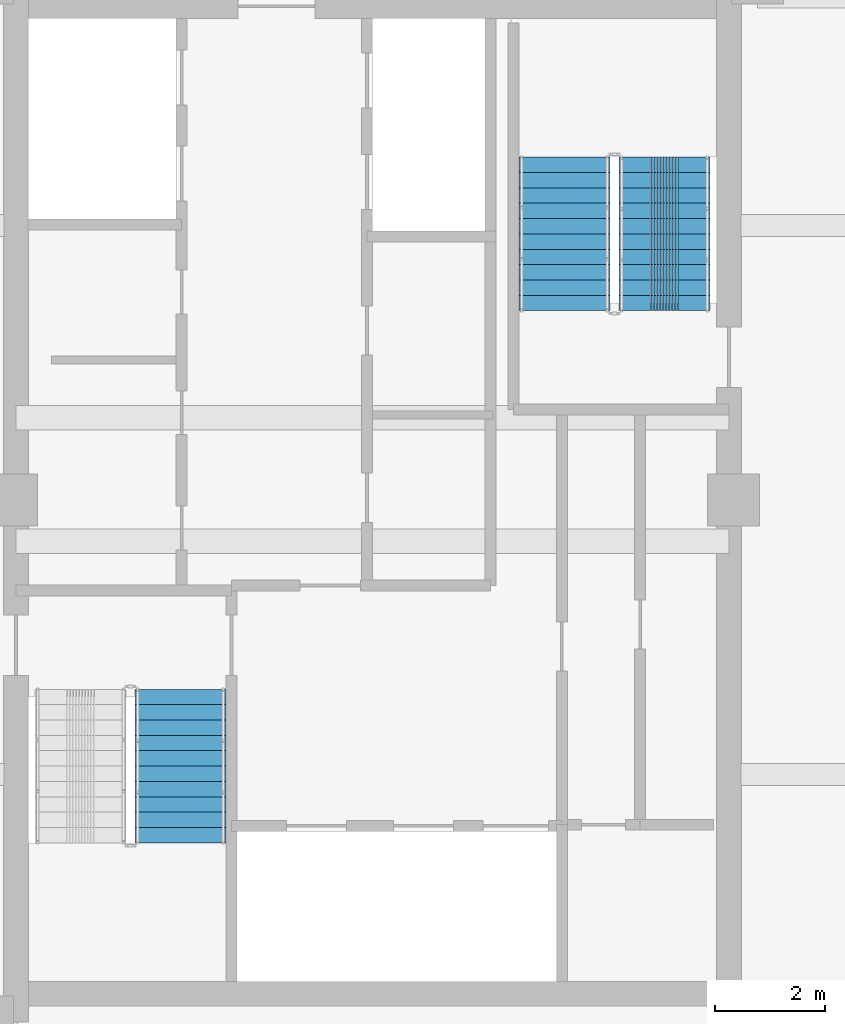
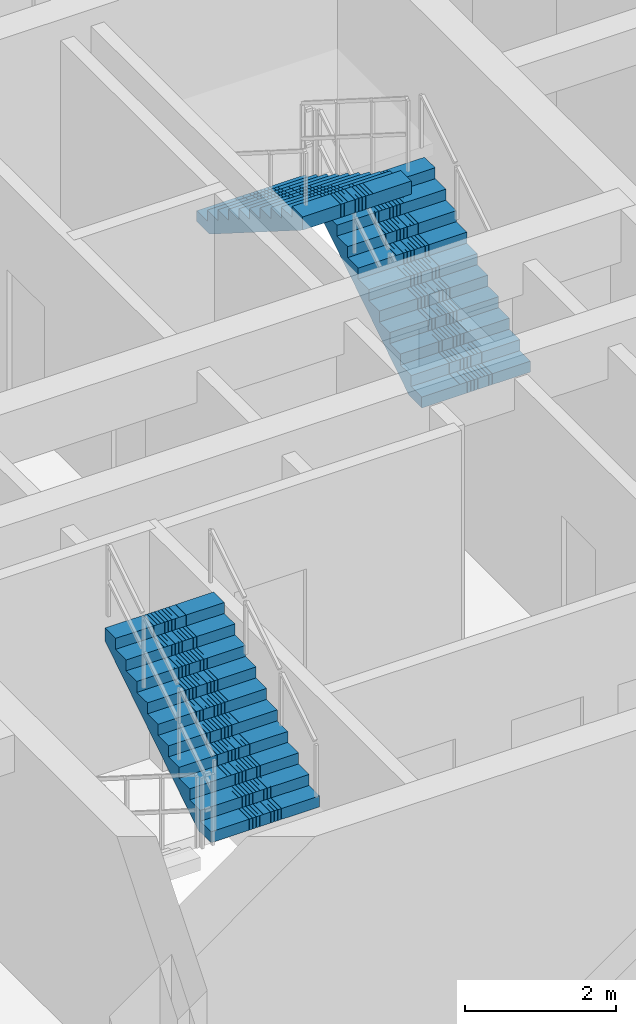
# One storey, part 17 of 22: 3 stair flights, 2 elements without a shape of their own.
"""IFC4 building model written with IfcOpenShell, lengths in metres."""

from ifc_helpers import new_model, si_unit, direction, frame, origin, place, context, subcontext, project, spatial, polyline, outline, extrude, material, type_object, element, aggregate, save


model = new_model("IFC4")

# Units and contexts
model_context = context("Model", 3, precision=1e-05, world=origin(), true_north=direction((0.0, 1.0)))
body_context = subcontext(model_context, "Body", "Model", "MODEL_VIEW")
ifc_project = project(units=[si_unit("LENGTHUNIT", "METRE"), si_unit("AREAUNIT", "SQUARE_METRE"), si_unit("VOLUMEUNIT", "CUBIC_METRE"), si_unit("PLANEANGLEUNIT", "RADIAN"), si_unit("MASSUNIT", "GRAM", prefix="KILO")], contexts=[model_context])

# Site, building, storey
site_placement = place(None, origin())
site = spatial("IfcSite", under=ifc_project, at=site_placement, CompositionType="ELEMENT")
building_placement = place(site_placement, origin())
building = spatial("IfcBuilding", under=site, at=building_placement, Name="Saelheon Loggia Tower", CompositionType="ELEMENT")
storey_placement = place(building_placement, frame((0.0, 0.0, 216.300048828125)))
storey = spatial("IfcBuildingStorey", under=building, at=storey_placement, Name="L67", CompositionType="ELEMENT", Elevation=216.300048828125)

# Stair, stair flight
ifc_material = material(Name="Concrete C40/50", Category="concrete")
stair_type = type_object("IfcStairType", Name="Stair_Escape_Core", PredefinedType="HALF_TURN_STAIR", material=ifc_material)
stair_1_placement = place(storey_placement, origin())
stair_1 = element("IfcStair", 1, at=stair_1_placement, inside=storey, type_object=stair_type, Name="L67 Special Escape Stair ST1", PredefinedType="HALF_TURN_STAIR")
stair_flight_type = type_object("IfcStairFlightType", Name="StairFlight_Tower_1660", PredefinedType="STRAIGHT", material=ifc_material)
stair_flight_1_placement = place(storey_placement, frame((34.5, 20.75, 1.949951171875), z_axis=(0.0, 0.0, 1.0), x_axis=(0.0, 1.0, 0.0)))
stair_flight_1 = element("IfcStairFlight", 2, at=stair_flight_1_placement, type_object=stair_flight_type, Name="ST1 flight 2", NumberOfRisers=11, NumberOfTreads=10, PredefinedType="STRAIGHT", RiserHeight=0.177272727, TreadLength=0.28, context=body_context, shape_type="SweptSolid", body=[
    extrude(outline(polyline([(0.0, 0.0), (0.0, 0.17724609375), (0.280029296875, 0.17724609375), (0.280029296875, 0.3544921875), (0.56005859375, 0.3544921875), (0.56005859375, 0.53173828125), (0.840087890625, 0.53173828125), (0.840087890625, 0.708984375), (1.1201171875, 0.708984375), (1.1201171875, 0.886474609375), (1.39990234375, 0.886474609375), (1.39990234375, 1.063720703125), (1.679931640625, 1.063720703125), (1.679931640625, 1.240966796875), (1.9599609375, 1.240966796875), (1.9599609375, 1.418212890625), (2.239990234375, 1.418212890625), (2.239990234375, 1.595458984375), (2.52001953125, 1.595458984375), (2.52001953125, 1.772705078125), (2.800048828125, 1.772705078125), (2.800048828125, 1.949951171875), (2.800048828125, 1.559814453125), (0.33642578125, 0.0), (0.0, 0.0)])), frame((0.0, -0.2490234375, 0.0), z_axis=(0.0, -1.0, 0.0), x_axis=(1.0, 0.0, 0.0)), (0.0, 0.0, 1.0), 0.5810546875),
    extrude(outline(polyline([(0.0, 0.0), (0.0, 0.17724609375), (0.280029296875, 0.17724609375), (0.280029296875, 0.3544921875), (0.56005859375, 0.3544921875), (0.56005859375, 0.53173828125), (0.840087890625, 0.53173828125), (0.840087890625, 0.708984375), (1.1201171875, 0.708984375), (1.1201171875, 0.886474609375), (1.39990234375, 0.886474609375), (1.39990234375, 1.063720703125), (1.679931640625, 1.063720703125), (1.679931640625, 1.240966796875), (1.9599609375, 1.240966796875), (1.9599609375, 1.418212890625), (2.239990234375, 1.418212890625), (2.239990234375, 1.595458984375), (2.52001953125, 1.595458984375), (2.52001953125, 1.772705078125), (2.800048828125, 1.772705078125), (2.800048828125, 1.949951171875), (2.800048828125, 1.559814453125), (0.33642578125, 0.0), (0.0, 0.0)])), frame((0.0, -0.194091796875, 0.0), z_axis=(0.0, -1.0, 0.0), x_axis=(1.0, 0.0, 0.0)), (0.0, 0.0, 1.0), 0.0498046875),
    extrude(outline(polyline([(0.0, 0.0), (0.0, 0.17724609375), (0.280029296875, 0.17724609375), (0.280029296875, 0.3544921875), (0.56005859375, 0.3544921875), (0.56005859375, 0.53173828125), (0.840087890625, 0.53173828125), (0.840087890625, 0.708984375), (1.1201171875, 0.708984375), (1.1201171875, 0.886474609375), (1.39990234375, 0.886474609375), (1.39990234375, 1.063720703125), (1.679931640625, 1.063720703125), (1.679931640625, 1.240966796875), (1.9599609375, 1.240966796875), (1.9599609375, 1.418212890625), (2.239990234375, 1.418212890625), (2.239990234375, 1.595458984375), (2.52001953125, 1.595458984375), (2.52001953125, 1.772705078125), (2.800048828125, 1.772705078125), (2.800048828125, 1.949951171875), (2.800048828125, 1.559814453125), (0.33642578125, 0.0), (0.0, 0.0)])), frame((0.0, -0.139404296875, 0.0), z_axis=(0.0, -1.0, 0.0), x_axis=(1.0, 0.0, 0.0)), (0.0, 0.0, 1.0), 0.0498046875),
    extrude(outline(polyline([(0.0, 0.0), (0.0, 0.17724609375), (0.280029296875, 0.17724609375), (0.280029296875, 0.3544921875), (0.56005859375, 0.3544921875), (0.56005859375, 0.53173828125), (0.840087890625, 0.53173828125), (0.840087890625, 0.708984375), (1.1201171875, 0.708984375), (1.1201171875, 0.886474609375), (1.39990234375, 0.886474609375), (1.39990234375, 1.063720703125), (1.679931640625, 1.063720703125), (1.679931640625, 1.240966796875), (1.9599609375, 1.240966796875), (1.9599609375, 1.418212890625), (2.239990234375, 1.418212890625), (2.239990234375, 1.595458984375), (2.52001953125, 1.595458984375), (2.52001953125, 1.772705078125), (2.800048828125, 1.772705078125), (2.800048828125, 1.949951171875), (2.800048828125, 1.559814453125), (0.33642578125, 0.0), (0.0, 0.0)])), frame((0.0, -0.084716796875, 0.0), z_axis=(0.0, -1.0, 0.0), x_axis=(1.0, 0.0, 0.0)), (0.0, 0.0, 1.0), 0.0498046875),
    extrude(outline(polyline([(0.0, 0.0), (0.0, 0.17724609375), (0.280029296875, 0.17724609375), (0.280029296875, 0.3544921875), (0.56005859375, 0.3544921875), (0.56005859375, 0.53173828125), (0.840087890625, 0.53173828125), (0.840087890625, 0.708984375), (1.1201171875, 0.708984375), (1.1201171875, 0.886474609375), (1.39990234375, 0.886474609375), (1.39990234375, 1.063720703125), (1.679931640625, 1.063720703125), (1.679931640625, 1.240966796875), (1.9599609375, 1.240966796875), (1.9599609375, 1.418212890625), (2.239990234375, 1.418212890625), (2.239990234375, 1.595458984375), (2.52001953125, 1.595458984375), (2.52001953125, 1.772705078125), (2.800048828125, 1.772705078125), (2.800048828125, 1.949951171875), (2.800048828125, 1.559814453125), (0.33642578125, 0.0), (0.0, 0.0)])), frame((0.0, -0.02978515625, 0.0), z_axis=(0.0, -1.0, 0.0), x_axis=(1.0, 0.0, 0.0)), (0.0, 0.0, 1.0), 0.0498046875),
    extrude(outline(polyline([(0.0, 0.0), (0.0, 0.17724609375), (0.280029296875, 0.17724609375), (0.280029296875, 0.3544921875), (0.56005859375, 0.3544921875), (0.56005859375, 0.53173828125), (0.840087890625, 0.53173828125), (0.840087890625, 0.708984375), (1.1201171875, 0.708984375), (1.1201171875, 0.886474609375), (1.39990234375, 0.886474609375), (1.39990234375, 1.063720703125), (1.679931640625, 1.063720703125), (1.679931640625, 1.240966796875), (1.9599609375, 1.240966796875), (1.9599609375, 1.418212890625), (2.239990234375, 1.418212890625), (2.239990234375, 1.595458984375), (2.52001953125, 1.595458984375), (2.52001953125, 1.772705078125), (2.800048828125, 1.772705078125), (2.800048828125, 1.949951171875), (2.800048828125, 1.559814453125), (0.33642578125, 0.0), (0.0, 0.0)])), frame((0.0, 0.02490234375, 0.0), z_axis=(0.0, -1.0, 0.0), x_axis=(1.0, 0.0, 0.0)), (0.0, 0.0, 1.0), 0.0498046875),
    extrude(outline(polyline([(0.0, 0.0), (0.0, 0.17724609375), (0.280029296875, 0.17724609375), (0.280029296875, 0.3544921875), (0.56005859375, 0.3544921875), (0.56005859375, 0.53173828125), (0.840087890625, 0.53173828125), (0.840087890625, 0.708984375), (1.1201171875, 0.708984375), (1.1201171875, 0.886474609375), (1.39990234375, 0.886474609375), (1.39990234375, 1.063720703125), (1.679931640625, 1.063720703125), (1.679931640625, 1.240966796875), (1.9599609375, 1.240966796875), (1.9599609375, 1.418212890625), (2.239990234375, 1.418212890625), (2.239990234375, 1.595458984375), (2.52001953125, 1.595458984375), (2.52001953125, 1.772705078125), (2.800048828125, 1.772705078125), (2.800048828125, 1.949951171875), (2.800048828125, 1.559814453125), (0.33642578125, 0.0), (0.0, 0.0)])), frame((0.0, 0.07958984375, 0.0), z_axis=(0.0, -1.0, 0.0), x_axis=(1.0, 0.0, 0.0)), (0.0, 0.0, 1.0), 0.0498046875),
    extrude(outline(polyline([(0.0, 0.0), (0.0, 0.17724609375), (0.280029296875, 0.17724609375), (0.280029296875, 0.3544921875), (0.56005859375, 0.3544921875), (0.56005859375, 0.53173828125), (0.840087890625, 0.53173828125), (0.840087890625, 0.708984375), (1.1201171875, 0.708984375), (1.1201171875, 0.886474609375), (1.39990234375, 0.886474609375), (1.39990234375, 1.063720703125), (1.679931640625, 1.063720703125), (1.679931640625, 1.240966796875), (1.9599609375, 1.240966796875), (1.9599609375, 1.418212890625), (2.239990234375, 1.418212890625), (2.239990234375, 1.595458984375), (2.52001953125, 1.595458984375), (2.52001953125, 1.772705078125), (2.800048828125, 1.772705078125), (2.800048828125, 1.949951171875), (2.800048828125, 1.559814453125), (0.33642578125, 0.0), (0.0, 0.0)])), frame((0.0, 0.134521484375, 0.0), z_axis=(0.0, -1.0, 0.0), x_axis=(1.0, 0.0, 0.0)), (0.0, 0.0, 1.0), 0.0498046875),
    extrude(outline(polyline([(0.0, 0.0), (0.0, 0.17724609375), (0.280029296875, 0.17724609375), (0.280029296875, 0.3544921875), (0.56005859375, 0.3544921875), (0.56005859375, 0.53173828125), (0.840087890625, 0.53173828125), (0.840087890625, 0.708984375), (1.1201171875, 0.708984375), (1.1201171875, 0.886474609375), (1.39990234375, 0.886474609375), (1.39990234375, 1.063720703125), (1.679931640625, 1.063720703125), (1.679931640625, 1.240966796875), (1.9599609375, 1.240966796875), (1.9599609375, 1.418212890625), (2.239990234375, 1.418212890625), (2.239990234375, 1.595458984375), (2.52001953125, 1.595458984375), (2.52001953125, 1.772705078125), (2.800048828125, 1.772705078125), (2.800048828125, 1.949951171875), (2.800048828125, 1.559814453125), (0.33642578125, 0.0), (0.0, 0.0)])), frame((0.0, 0.189208984375, 0.0), z_axis=(0.0, -1.0, 0.0), x_axis=(1.0, 0.0, 0.0)), (0.0, 0.0, 1.0), 0.0498046875),
    extrude(outline(polyline([(0.0, 0.0), (0.0, 0.17724609375), (0.280029296875, 0.17724609375), (0.280029296875, 0.3544921875), (0.56005859375, 0.3544921875), (0.56005859375, 0.53173828125), (0.840087890625, 0.53173828125), (0.840087890625, 0.708984375), (1.1201171875, 0.708984375), (1.1201171875, 0.886474609375), (1.39990234375, 0.886474609375), (1.39990234375, 1.063720703125), (1.679931640625, 1.063720703125), (1.679931640625, 1.240966796875), (1.9599609375, 1.240966796875), (1.9599609375, 1.418212890625), (2.239990234375, 1.418212890625), (2.239990234375, 1.595458984375), (2.52001953125, 1.595458984375), (2.52001953125, 1.772705078125), (2.800048828125, 1.772705078125), (2.800048828125, 1.949951171875), (2.800048828125, 1.559814453125), (0.33642578125, 0.0), (0.0, 0.0)])), frame((0.0, 0.243896484375, 0.0), z_axis=(0.0, -1.0, 0.0), x_axis=(1.0, 0.0, 0.0)), (0.0, 0.0, 1.0), 0.0498046875),
    extrude(outline(polyline([(0.0, 0.0), (0.0, 0.17724609375), (0.280029296875, 0.17724609375), (0.280029296875, 0.3544921875), (0.56005859375, 0.3544921875), (0.56005859375, 0.53173828125), (0.840087890625, 0.53173828125), (0.840087890625, 0.708984375), (1.1201171875, 0.708984375), (1.1201171875, 0.886474609375), (1.39990234375, 0.886474609375), (1.39990234375, 1.063720703125), (1.679931640625, 1.063720703125), (1.679931640625, 1.240966796875), (1.9599609375, 1.240966796875), (1.9599609375, 1.418212890625), (2.239990234375, 1.418212890625), (2.239990234375, 1.595458984375), (2.52001953125, 1.595458984375), (2.52001953125, 1.772705078125), (2.800048828125, 1.772705078125), (2.800048828125, 1.949951171875), (2.800048828125, 1.559814453125), (0.33642578125, 0.0), (0.0, 0.0)])), frame((0.0, 0.830078125, 0.0), z_axis=(0.0, -1.0, 0.0), x_axis=(1.0, 0.0, 0.0)), (0.0, 0.0, 1.0), 0.5810546875),
])
aggregate(stair_1, [stair_flight_1])

# Stair, stair flights
stair_2_placement = place(storey_placement, origin())
stair_2 = element("IfcStair", 3, at=stair_2_placement, inside=storey, type_object=stair_type, Name="L67 Special Escape Stair ST2", PredefinedType="HALF_TURN_STAIR")
stair_flight_2_placement = place(storey_placement, frame((43.320068359375, 30.449951171875, 0.0), z_axis=(0.0, 0.0, 1.0), x_axis=(0.0, 1.0, 0.0)))
stair_flight_2 = element("IfcStairFlight", 4, at=stair_flight_2_placement, type_object=stair_flight_type, Name="ST2 flight 1", NumberOfRisers=11, NumberOfTreads=10, PredefinedType="STRAIGHT", RiserHeight=0.177272727, TreadLength=0.28, context=body_context, shape_type="SweptSolid", body=[
    extrude(outline(polyline([(0.0, 0.0), (0.0, 0.17724609375), (0.280029296875, 0.17724609375), (0.280029296875, 0.3544921875), (0.56005859375, 0.3544921875), (0.56005859375, 0.53173828125), (0.840087890625, 0.53173828125), (0.840087890625, 0.708984375), (1.1201171875, 0.708984375), (1.1201171875, 0.886474609375), (1.39990234375, 0.886474609375), (1.39990234375, 1.063720703125), (1.679931640625, 1.063720703125), (1.679931640625, 1.240966796875), (1.9599609375, 1.240966796875), (1.9599609375, 1.418212890625), (2.239990234375, 1.418212890625), (2.239990234375, 1.595458984375), (2.52001953125, 1.595458984375), (2.52001953125, 1.772705078125), (2.800048828125, 1.772705078125), (2.800048828125, 1.949951171875), (2.800048828125, 1.559814453125), (0.33642578125, 0.0), (0.0, 0.0)])), frame((0.0, -0.2490234375, 0.0), z_axis=(0.0, -1.0, 0.0), x_axis=(1.0, 0.0, 0.0)), (0.0, 0.0, 1.0), 0.5810546875),
    extrude(outline(polyline([(0.0, 0.0), (0.0, 0.17724609375), (0.280029296875, 0.17724609375), (0.280029296875, 0.3544921875), (0.56005859375, 0.3544921875), (0.56005859375, 0.53173828125), (0.840087890625, 0.53173828125), (0.840087890625, 0.708984375), (1.1201171875, 0.708984375), (1.1201171875, 0.886474609375), (1.39990234375, 0.886474609375), (1.39990234375, 1.063720703125), (1.679931640625, 1.063720703125), (1.679931640625, 1.240966796875), (1.9599609375, 1.240966796875), (1.9599609375, 1.418212890625), (2.239990234375, 1.418212890625), (2.239990234375, 1.595458984375), (2.52001953125, 1.595458984375), (2.52001953125, 1.772705078125), (2.800048828125, 1.772705078125), (2.800048828125, 1.949951171875), (2.800048828125, 1.559814453125), (0.33642578125, 0.0), (0.0, 0.0)])), frame((0.0, -0.194091796875, 0.0), z_axis=(0.0, -1.0, 0.0), x_axis=(1.0, 0.0, 0.0)), (0.0, 0.0, 1.0), 0.0498046875),
    extrude(outline(polyline([(0.0, 0.0), (0.0, 0.17724609375), (0.280029296875, 0.17724609375), (0.280029296875, 0.3544921875), (0.56005859375, 0.3544921875), (0.56005859375, 0.53173828125), (0.840087890625, 0.53173828125), (0.840087890625, 0.708984375), (1.1201171875, 0.708984375), (1.1201171875, 0.886474609375), (1.39990234375, 0.886474609375), (1.39990234375, 1.063720703125), (1.679931640625, 1.063720703125), (1.679931640625, 1.240966796875), (1.9599609375, 1.240966796875), (1.9599609375, 1.418212890625), (2.239990234375, 1.418212890625), (2.239990234375, 1.595458984375), (2.52001953125, 1.595458984375), (2.52001953125, 1.772705078125), (2.800048828125, 1.772705078125), (2.800048828125, 1.949951171875), (2.800048828125, 1.559814453125), (0.33642578125, 0.0), (0.0, 0.0)])), frame((0.0, -0.139404296875, 0.0), z_axis=(0.0, -1.0, 0.0), x_axis=(1.0, 0.0, 0.0)), (0.0, 0.0, 1.0), 0.0498046875),
    extrude(outline(polyline([(0.0, 0.0), (0.0, 0.17724609375), (0.280029296875, 0.17724609375), (0.280029296875, 0.3544921875), (0.56005859375, 0.3544921875), (0.56005859375, 0.53173828125), (0.840087890625, 0.53173828125), (0.840087890625, 0.708984375), (1.1201171875, 0.708984375), (1.1201171875, 0.886474609375), (1.39990234375, 0.886474609375), (1.39990234375, 1.063720703125), (1.679931640625, 1.063720703125), (1.679931640625, 1.240966796875), (1.9599609375, 1.240966796875), (1.9599609375, 1.418212890625), (2.239990234375, 1.418212890625), (2.239990234375, 1.595458984375), (2.52001953125, 1.595458984375), (2.52001953125, 1.772705078125), (2.800048828125, 1.772705078125), (2.800048828125, 1.949951171875), (2.800048828125, 1.559814453125), (0.33642578125, 0.0), (0.0, 0.0)])), frame((0.0, -0.084716796875, 0.0), z_axis=(0.0, -1.0, 0.0), x_axis=(1.0, 0.0, 0.0)), (0.0, 0.0, 1.0), 0.0498046875),
    extrude(outline(polyline([(0.0, 0.0), (0.0, 0.17724609375), (0.280029296875, 0.17724609375), (0.280029296875, 0.3544921875), (0.56005859375, 0.3544921875), (0.56005859375, 0.53173828125), (0.840087890625, 0.53173828125), (0.840087890625, 0.708984375), (1.1201171875, 0.708984375), (1.1201171875, 0.886474609375), (1.39990234375, 0.886474609375), (1.39990234375, 1.063720703125), (1.679931640625, 1.063720703125), (1.679931640625, 1.240966796875), (1.9599609375, 1.240966796875), (1.9599609375, 1.418212890625), (2.239990234375, 1.418212890625), (2.239990234375, 1.595458984375), (2.52001953125, 1.595458984375), (2.52001953125, 1.772705078125), (2.800048828125, 1.772705078125), (2.800048828125, 1.949951171875), (2.800048828125, 1.559814453125), (0.33642578125, 0.0), (0.0, 0.0)])), frame((0.0, -0.02978515625, 0.0), z_axis=(0.0, -1.0, 0.0), x_axis=(1.0, 0.0, 0.0)), (0.0, 0.0, 1.0), 0.0498046875),
    extrude(outline(polyline([(0.0, 0.0), (0.0, 0.17724609375), (0.280029296875, 0.17724609375), (0.280029296875, 0.3544921875), (0.56005859375, 0.3544921875), (0.56005859375, 0.53173828125), (0.840087890625, 0.53173828125), (0.840087890625, 0.708984375), (1.1201171875, 0.708984375), (1.1201171875, 0.886474609375), (1.39990234375, 0.886474609375), (1.39990234375, 1.063720703125), (1.679931640625, 1.063720703125), (1.679931640625, 1.240966796875), (1.9599609375, 1.240966796875), (1.9599609375, 1.418212890625), (2.239990234375, 1.418212890625), (2.239990234375, 1.595458984375), (2.52001953125, 1.595458984375), (2.52001953125, 1.772705078125), (2.800048828125, 1.772705078125), (2.800048828125, 1.949951171875), (2.800048828125, 1.559814453125), (0.33642578125, 0.0), (0.0, 0.0)])), frame((0.0, 0.02490234375, 0.0), z_axis=(0.0, -1.0, 0.0), x_axis=(1.0, 0.0, 0.0)), (0.0, 0.0, 1.0), 0.0498046875),
    extrude(outline(polyline([(0.0, 0.0), (0.0, 0.17724609375), (0.280029296875, 0.17724609375), (0.280029296875, 0.3544921875), (0.56005859375, 0.3544921875), (0.56005859375, 0.53173828125), (0.840087890625, 0.53173828125), (0.840087890625, 0.708984375), (1.1201171875, 0.708984375), (1.1201171875, 0.886474609375), (1.39990234375, 0.886474609375), (1.39990234375, 1.063720703125), (1.679931640625, 1.063720703125), (1.679931640625, 1.240966796875), (1.9599609375, 1.240966796875), (1.9599609375, 1.418212890625), (2.239990234375, 1.418212890625), (2.239990234375, 1.595458984375), (2.52001953125, 1.595458984375), (2.52001953125, 1.772705078125), (2.800048828125, 1.772705078125), (2.800048828125, 1.949951171875), (2.800048828125, 1.559814453125), (0.33642578125, 0.0), (0.0, 0.0)])), frame((0.0, 0.07958984375, 0.0), z_axis=(0.0, -1.0, 0.0), x_axis=(1.0, 0.0, 0.0)), (0.0, 0.0, 1.0), 0.0498046875),
    extrude(outline(polyline([(0.0, 0.0), (0.0, 0.17724609375), (0.280029296875, 0.17724609375), (0.280029296875, 0.3544921875), (0.56005859375, 0.3544921875), (0.56005859375, 0.53173828125), (0.840087890625, 0.53173828125), (0.840087890625, 0.708984375), (1.1201171875, 0.708984375), (1.1201171875, 0.886474609375), (1.39990234375, 0.886474609375), (1.39990234375, 1.063720703125), (1.679931640625, 1.063720703125), (1.679931640625, 1.240966796875), (1.9599609375, 1.240966796875), (1.9599609375, 1.418212890625), (2.239990234375, 1.418212890625), (2.239990234375, 1.595458984375), (2.52001953125, 1.595458984375), (2.52001953125, 1.772705078125), (2.800048828125, 1.772705078125), (2.800048828125, 1.949951171875), (2.800048828125, 1.559814453125), (0.33642578125, 0.0), (0.0, 0.0)])), frame((0.0, 0.134521484375, 0.0), z_axis=(0.0, -1.0, 0.0), x_axis=(1.0, 0.0, 0.0)), (0.0, 0.0, 1.0), 0.0498046875),
    extrude(outline(polyline([(0.0, 0.0), (0.0, 0.17724609375), (0.280029296875, 0.17724609375), (0.280029296875, 0.3544921875), (0.56005859375, 0.3544921875), (0.56005859375, 0.53173828125), (0.840087890625, 0.53173828125), (0.840087890625, 0.708984375), (1.1201171875, 0.708984375), (1.1201171875, 0.886474609375), (1.39990234375, 0.886474609375), (1.39990234375, 1.063720703125), (1.679931640625, 1.063720703125), (1.679931640625, 1.240966796875), (1.9599609375, 1.240966796875), (1.9599609375, 1.418212890625), (2.239990234375, 1.418212890625), (2.239990234375, 1.595458984375), (2.52001953125, 1.595458984375), (2.52001953125, 1.772705078125), (2.800048828125, 1.772705078125), (2.800048828125, 1.949951171875), (2.800048828125, 1.559814453125), (0.33642578125, 0.0), (0.0, 0.0)])), frame((0.0, 0.189208984375, 0.0), z_axis=(0.0, -1.0, 0.0), x_axis=(1.0, 0.0, 0.0)), (0.0, 0.0, 1.0), 0.0498046875),
    extrude(outline(polyline([(0.0, 0.0), (0.0, 0.17724609375), (0.280029296875, 0.17724609375), (0.280029296875, 0.3544921875), (0.56005859375, 0.3544921875), (0.56005859375, 0.53173828125), (0.840087890625, 0.53173828125), (0.840087890625, 0.708984375), (1.1201171875, 0.708984375), (1.1201171875, 0.886474609375), (1.39990234375, 0.886474609375), (1.39990234375, 1.063720703125), (1.679931640625, 1.063720703125), (1.679931640625, 1.240966796875), (1.9599609375, 1.240966796875), (1.9599609375, 1.418212890625), (2.239990234375, 1.418212890625), (2.239990234375, 1.595458984375), (2.52001953125, 1.595458984375), (2.52001953125, 1.772705078125), (2.800048828125, 1.772705078125), (2.800048828125, 1.949951171875), (2.800048828125, 1.559814453125), (0.33642578125, 0.0), (0.0, 0.0)])), frame((0.0, 0.243896484375, 0.0), z_axis=(0.0, -1.0, 0.0), x_axis=(1.0, 0.0, 0.0)), (0.0, 0.0, 1.0), 0.0498046875),
    extrude(outline(polyline([(0.0, 0.0), (0.0, 0.17724609375), (0.280029296875, 0.17724609375), (0.280029296875, 0.3544921875), (0.56005859375, 0.3544921875), (0.56005859375, 0.53173828125), (0.840087890625, 0.53173828125), (0.840087890625, 0.708984375), (1.1201171875, 0.708984375), (1.1201171875, 0.886474609375), (1.39990234375, 0.886474609375), (1.39990234375, 1.063720703125), (1.679931640625, 1.063720703125), (1.679931640625, 1.240966796875), (1.9599609375, 1.240966796875), (1.9599609375, 1.418212890625), (2.239990234375, 1.418212890625), (2.239990234375, 1.595458984375), (2.52001953125, 1.595458984375), (2.52001953125, 1.772705078125), (2.800048828125, 1.772705078125), (2.800048828125, 1.949951171875), (2.800048828125, 1.559814453125), (0.33642578125, 0.0), (0.0, 0.0)])), frame((0.0, 0.830078125, 0.0), z_axis=(0.0, -1.0, 0.0), x_axis=(1.0, 0.0, 0.0)), (0.0, 0.0, 1.0), 0.5810546875),
])
stair_flight_3_placement = place(storey_placement, frame((41.5, 33.25, 1.949951171875), z_axis=(0.0, 0.0, 1.0), x_axis=(0.0, -1.0, 0.0)))
stair_flight_3 = element("IfcStairFlight", 5, at=stair_flight_3_placement, type_object=stair_flight_type, Name="ST2 flight 2", NumberOfRisers=11, NumberOfTreads=10, PredefinedType="STRAIGHT", RiserHeight=0.177272727, TreadLength=0.28, context=body_context, shape_type="SweptSolid", body=[
    extrude(outline(polyline([(0.0, 0.0), (0.0, 0.17724609375), (0.280029296875, 0.17724609375), (0.280029296875, 0.3544921875), (0.56005859375, 0.3544921875), (0.56005859375, 0.53173828125), (0.840087890625, 0.53173828125), (0.840087890625, 0.708984375), (1.1201171875, 0.708984375), (1.1201171875, 0.886474609375), (1.39990234375, 0.886474609375), (1.39990234375, 1.063720703125), (1.679931640625, 1.063720703125), (1.679931640625, 1.240966796875), (1.9599609375, 1.240966796875), (1.9599609375, 1.418212890625), (2.239990234375, 1.418212890625), (2.239990234375, 1.595458984375), (2.52001953125, 1.595458984375), (2.52001953125, 1.772705078125), (2.800048828125, 1.772705078125), (2.800048828125, 1.949951171875), (2.800048828125, 1.559814453125), (0.33642578125, 0.0), (0.0, 0.0)])), frame((0.0, -0.2490234375, 0.0), z_axis=(0.0, -1.0, 0.0), x_axis=(1.0, 0.0, 0.0)), (0.0, 0.0, 1.0), 0.5810546875),
    extrude(outline(polyline([(0.0, 0.0), (0.0, 0.17724609375), (0.280029296875, 0.17724609375), (0.280029296875, 0.3544921875), (0.56005859375, 0.3544921875), (0.56005859375, 0.53173828125), (0.840087890625, 0.53173828125), (0.840087890625, 0.708984375), (1.1201171875, 0.708984375), (1.1201171875, 0.886474609375), (1.39990234375, 0.886474609375), (1.39990234375, 1.063720703125), (1.679931640625, 1.063720703125), (1.679931640625, 1.240966796875), (1.9599609375, 1.240966796875), (1.9599609375, 1.418212890625), (2.239990234375, 1.418212890625), (2.239990234375, 1.595458984375), (2.52001953125, 1.595458984375), (2.52001953125, 1.772705078125), (2.800048828125, 1.772705078125), (2.800048828125, 1.949951171875), (2.800048828125, 1.559814453125), (0.33642578125, 0.0), (0.0, 0.0)])), frame((0.0, -0.194091796875, 0.0), z_axis=(0.0, -1.0, 0.0), x_axis=(1.0, 0.0, 0.0)), (0.0, 0.0, 1.0), 0.0498046875),
    extrude(outline(polyline([(0.0, 0.0), (0.0, 0.17724609375), (0.280029296875, 0.17724609375), (0.280029296875, 0.3544921875), (0.56005859375, 0.3544921875), (0.56005859375, 0.53173828125), (0.840087890625, 0.53173828125), (0.840087890625, 0.708984375), (1.1201171875, 0.708984375), (1.1201171875, 0.886474609375), (1.39990234375, 0.886474609375), (1.39990234375, 1.063720703125), (1.679931640625, 1.063720703125), (1.679931640625, 1.240966796875), (1.9599609375, 1.240966796875), (1.9599609375, 1.418212890625), (2.239990234375, 1.418212890625), (2.239990234375, 1.595458984375), (2.52001953125, 1.595458984375), (2.52001953125, 1.772705078125), (2.800048828125, 1.772705078125), (2.800048828125, 1.949951171875), (2.800048828125, 1.559814453125), (0.33642578125, 0.0), (0.0, 0.0)])), frame((0.0, -0.139404296875, 0.0), z_axis=(0.0, -1.0, 0.0), x_axis=(1.0, 0.0, 0.0)), (0.0, 0.0, 1.0), 0.0498046875),
    extrude(outline(polyline([(0.0, 0.0), (0.0, 0.17724609375), (0.280029296875, 0.17724609375), (0.280029296875, 0.3544921875), (0.56005859375, 0.3544921875), (0.56005859375, 0.53173828125), (0.840087890625, 0.53173828125), (0.840087890625, 0.708984375), (1.1201171875, 0.708984375), (1.1201171875, 0.886474609375), (1.39990234375, 0.886474609375), (1.39990234375, 1.063720703125), (1.679931640625, 1.063720703125), (1.679931640625, 1.240966796875), (1.9599609375, 1.240966796875), (1.9599609375, 1.418212890625), (2.239990234375, 1.418212890625), (2.239990234375, 1.595458984375), (2.52001953125, 1.595458984375), (2.52001953125, 1.772705078125), (2.800048828125, 1.772705078125), (2.800048828125, 1.949951171875), (2.800048828125, 1.559814453125), (0.33642578125, 0.0), (0.0, 0.0)])), frame((0.0, -0.084716796875, 0.0), z_axis=(0.0, -1.0, 0.0), x_axis=(1.0, 0.0, 0.0)), (0.0, 0.0, 1.0), 0.0498046875),
    extrude(outline(polyline([(0.0, 0.0), (0.0, 0.17724609375), (0.280029296875, 0.17724609375), (0.280029296875, 0.3544921875), (0.56005859375, 0.3544921875), (0.56005859375, 0.53173828125), (0.840087890625, 0.53173828125), (0.840087890625, 0.708984375), (1.1201171875, 0.708984375), (1.1201171875, 0.886474609375), (1.39990234375, 0.886474609375), (1.39990234375, 1.063720703125), (1.679931640625, 1.063720703125), (1.679931640625, 1.240966796875), (1.9599609375, 1.240966796875), (1.9599609375, 1.418212890625), (2.239990234375, 1.418212890625), (2.239990234375, 1.595458984375), (2.52001953125, 1.595458984375), (2.52001953125, 1.772705078125), (2.800048828125, 1.772705078125), (2.800048828125, 1.949951171875), (2.800048828125, 1.559814453125), (0.33642578125, 0.0), (0.0, 0.0)])), frame((0.0, -0.02978515625, 0.0), z_axis=(0.0, -1.0, 0.0), x_axis=(1.0, 0.0, 0.0)), (0.0, 0.0, 1.0), 0.0498046875),
    extrude(outline(polyline([(0.0, 0.0), (0.0, 0.17724609375), (0.280029296875, 0.17724609375), (0.280029296875, 0.3544921875), (0.56005859375, 0.3544921875), (0.56005859375, 0.53173828125), (0.840087890625, 0.53173828125), (0.840087890625, 0.708984375), (1.1201171875, 0.708984375), (1.1201171875, 0.886474609375), (1.39990234375, 0.886474609375), (1.39990234375, 1.063720703125), (1.679931640625, 1.063720703125), (1.679931640625, 1.240966796875), (1.9599609375, 1.240966796875), (1.9599609375, 1.418212890625), (2.239990234375, 1.418212890625), (2.239990234375, 1.595458984375), (2.52001953125, 1.595458984375), (2.52001953125, 1.772705078125), (2.800048828125, 1.772705078125), (2.800048828125, 1.949951171875), (2.800048828125, 1.559814453125), (0.33642578125, 0.0), (0.0, 0.0)])), frame((0.0, 0.02490234375, 0.0), z_axis=(0.0, -1.0, 0.0), x_axis=(1.0, 0.0, 0.0)), (0.0, 0.0, 1.0), 0.0498046875),
    extrude(outline(polyline([(0.0, 0.0), (0.0, 0.17724609375), (0.280029296875, 0.17724609375), (0.280029296875, 0.3544921875), (0.56005859375, 0.3544921875), (0.56005859375, 0.53173828125), (0.840087890625, 0.53173828125), (0.840087890625, 0.708984375), (1.1201171875, 0.708984375), (1.1201171875, 0.886474609375), (1.39990234375, 0.886474609375), (1.39990234375, 1.063720703125), (1.679931640625, 1.063720703125), (1.679931640625, 1.240966796875), (1.9599609375, 1.240966796875), (1.9599609375, 1.418212890625), (2.239990234375, 1.418212890625), (2.239990234375, 1.595458984375), (2.52001953125, 1.595458984375), (2.52001953125, 1.772705078125), (2.800048828125, 1.772705078125), (2.800048828125, 1.949951171875), (2.800048828125, 1.559814453125), (0.33642578125, 0.0), (0.0, 0.0)])), frame((0.0, 0.07958984375, 0.0), z_axis=(0.0, -1.0, 0.0), x_axis=(1.0, 0.0, 0.0)), (0.0, 0.0, 1.0), 0.0498046875),
    extrude(outline(polyline([(0.0, 0.0), (0.0, 0.17724609375), (0.280029296875, 0.17724609375), (0.280029296875, 0.3544921875), (0.56005859375, 0.3544921875), (0.56005859375, 0.53173828125), (0.840087890625, 0.53173828125), (0.840087890625, 0.708984375), (1.1201171875, 0.708984375), (1.1201171875, 0.886474609375), (1.39990234375, 0.886474609375), (1.39990234375, 1.063720703125), (1.679931640625, 1.063720703125), (1.679931640625, 1.240966796875), (1.9599609375, 1.240966796875), (1.9599609375, 1.418212890625), (2.239990234375, 1.418212890625), (2.239990234375, 1.595458984375), (2.52001953125, 1.595458984375), (2.52001953125, 1.772705078125), (2.800048828125, 1.772705078125), (2.800048828125, 1.949951171875), (2.800048828125, 1.559814453125), (0.33642578125, 0.0), (0.0, 0.0)])), frame((0.0, 0.134521484375, 0.0), z_axis=(0.0, -1.0, 0.0), x_axis=(1.0, 0.0, 0.0)), (0.0, 0.0, 1.0), 0.0498046875),
    extrude(outline(polyline([(0.0, 0.0), (0.0, 0.17724609375), (0.280029296875, 0.17724609375), (0.280029296875, 0.3544921875), (0.56005859375, 0.3544921875), (0.56005859375, 0.53173828125), (0.840087890625, 0.53173828125), (0.840087890625, 0.708984375), (1.1201171875, 0.708984375), (1.1201171875, 0.886474609375), (1.39990234375, 0.886474609375), (1.39990234375, 1.063720703125), (1.679931640625, 1.063720703125), (1.679931640625, 1.240966796875), (1.9599609375, 1.240966796875), (1.9599609375, 1.418212890625), (2.239990234375, 1.418212890625), (2.239990234375, 1.595458984375), (2.52001953125, 1.595458984375), (2.52001953125, 1.772705078125), (2.800048828125, 1.772705078125), (2.800048828125, 1.949951171875), (2.800048828125, 1.559814453125), (0.33642578125, 0.0), (0.0, 0.0)])), frame((0.0, 0.189208984375, 0.0), z_axis=(0.0, -1.0, 0.0), x_axis=(1.0, 0.0, 0.0)), (0.0, 0.0, 1.0), 0.0498046875),
    extrude(outline(polyline([(0.0, 0.0), (0.0, 0.17724609375), (0.280029296875, 0.17724609375), (0.280029296875, 0.3544921875), (0.56005859375, 0.3544921875), (0.56005859375, 0.53173828125), (0.840087890625, 0.53173828125), (0.840087890625, 0.708984375), (1.1201171875, 0.708984375), (1.1201171875, 0.886474609375), (1.39990234375, 0.886474609375), (1.39990234375, 1.063720703125), (1.679931640625, 1.063720703125), (1.679931640625, 1.240966796875), (1.9599609375, 1.240966796875), (1.9599609375, 1.418212890625), (2.239990234375, 1.418212890625), (2.239990234375, 1.595458984375), (2.52001953125, 1.595458984375), (2.52001953125, 1.772705078125), (2.800048828125, 1.772705078125), (2.800048828125, 1.949951171875), (2.800048828125, 1.559814453125), (0.33642578125, 0.0), (0.0, 0.0)])), frame((0.0, 0.243896484375, 0.0), z_axis=(0.0, -1.0, 0.0), x_axis=(1.0, 0.0, 0.0)), (0.0, 0.0, 1.0), 0.0498046875),
    extrude(outline(polyline([(0.0, 0.0), (0.0, 0.17724609375), (0.280029296875, 0.17724609375), (0.280029296875, 0.3544921875), (0.56005859375, 0.3544921875), (0.56005859375, 0.53173828125), (0.840087890625, 0.53173828125), (0.840087890625, 0.708984375), (1.1201171875, 0.708984375), (1.1201171875, 0.886474609375), (1.39990234375, 0.886474609375), (1.39990234375, 1.063720703125), (1.679931640625, 1.063720703125), (1.679931640625, 1.240966796875), (1.9599609375, 1.240966796875), (1.9599609375, 1.418212890625), (2.239990234375, 1.418212890625), (2.239990234375, 1.595458984375), (2.52001953125, 1.595458984375), (2.52001953125, 1.772705078125), (2.800048828125, 1.772705078125), (2.800048828125, 1.949951171875), (2.800048828125, 1.559814453125), (0.33642578125, 0.0), (0.0, 0.0)])), frame((0.0, 0.830078125, 0.0), z_axis=(0.0, -1.0, 0.0), x_axis=(1.0, 0.0, 0.0)), (0.0, 0.0, 1.0), 0.5810546875),
])
aggregate(stair_2, [stair_flight_2, stair_flight_3])

save(model, "model.ifc")
